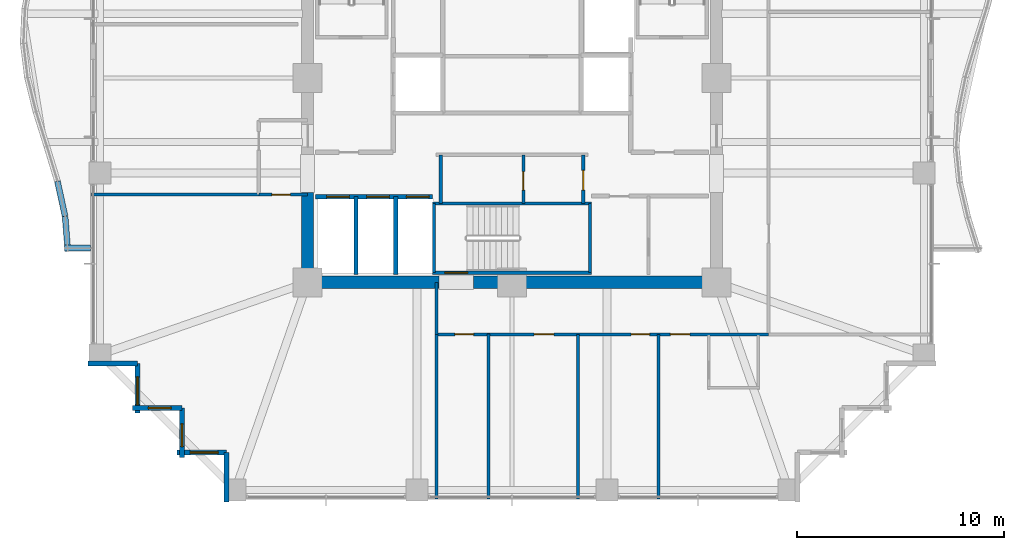
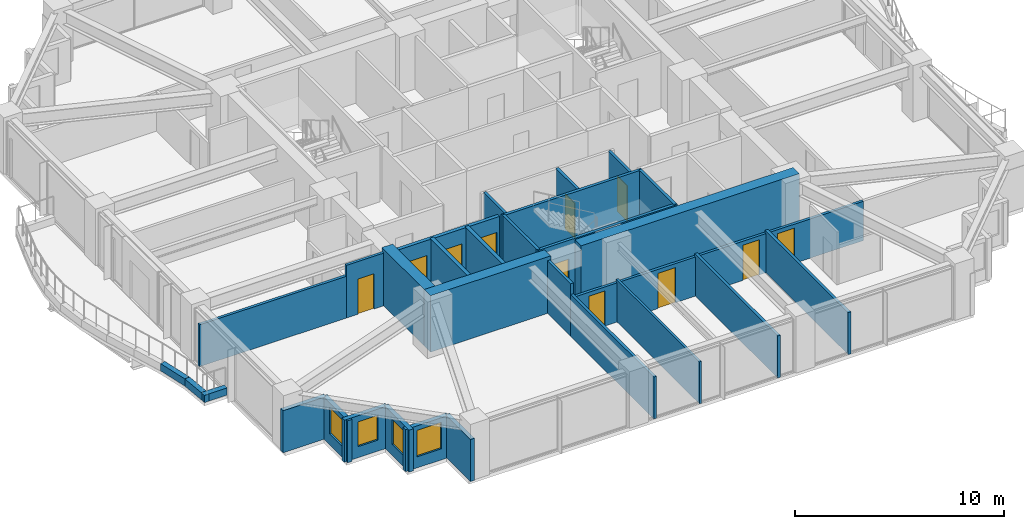
# One storey, part 30 of 36: 30 walls, 11 doors, 4 windows, 15 openings.
"""IFC4 building model written with IfcOpenShell, lengths in metres."""

from ifc_helpers import new_model, si_unit, direction, frame, frame_2d, origin, place, context, subcontext, project, spatial, rectangle, extrude, material, layer, layer_set, type_object, element, fill, save


model = new_model("IFC4")

# Units and contexts
model_context = context("Model", 3, precision=1e-05, world=origin(), true_north=direction((0.0, 1.0)))
body_context = subcontext(model_context, "Body", "Model", "MODEL_VIEW")
ifc_project = project(units=[si_unit("LENGTHUNIT", "METRE"), si_unit("AREAUNIT", "SQUARE_METRE"), si_unit("VOLUMEUNIT", "CUBIC_METRE"), si_unit("PLANEANGLEUNIT", "RADIAN"), si_unit("MASSUNIT", "GRAM", prefix="KILO")], contexts=[model_context])

# Site, building, storey
site_placement = place(None, origin())
site = spatial("IfcSite", under=ifc_project, at=site_placement, CompositionType="ELEMENT")
building_placement = place(site_placement, origin())
building = spatial("IfcBuilding", under=site, at=building_placement, Name="Kolvaren Belvedere", CompositionType="ELEMENT")
storey_placement = place(building_placement, frame((0.0, 0.0, 88.699951171875)))
storey = spatial("IfcBuildingStorey", under=building, at=storey_placement, Name="L25", CompositionType="ELEMENT", Elevation=88.699951171875)

# Walls
ifc_material_1 = material(Name="Concrete C60/75", Category="concrete")
ifc_layer_1 = layer(ifc_material_1, 0.60009765625)
ifc_layer_set_1 = layer_set([ifc_layer_1], Name="Concrete C60/75")
wall_type_1 = type_object("IfcWallType", Name="CW-CORE-600", PredefinedType="SHEAR", material=ifc_layer_set_1)
wall_1_placement = place(storey_placement, frame((10.199951171875, -9.89990234375, 0.0), z_axis=(0.0, 0.0, 1.0), x_axis=(-1.0, 0.0, 0.0)))
element("IfcWall", 1, at=wall_1_placement, inside=storey, type_object=wall_type_1, Name="L25 South Core Shear Wall 1", PredefinedType="SHEAR", context=body_context, shape_type="SweptSolid", body=[
    extrude(rectangle(XDim=12.06005859375, YDim=0.60009765625, at=frame_2d((6.030029296875, 0.0))), origin(), (0.0, 0.0, 1.0), 3.300048828125),
])
wall_2_placement = place(storey_placement, frame((-3.5400390625, -9.89990234375, 0.0), z_axis=(0.0, 0.0, 1.0), x_axis=(-1.0, 0.0, 0.0)))
element("IfcWall", 2, at=wall_2_placement, inside=storey, type_object=wall_type_1, Name="L25 South Core Shear Wall 2", PredefinedType="SHEAR", context=body_context, shape_type="SweptSolid", body=[
    extrude(rectangle(XDim=6.659912109375, YDim=0.60009765625, at=frame_2d((3.330078125, 0.0))), origin(), (0.0, 0.0, 1.0), 3.300048828125),
])
wall_3_placement = place(storey_placement, frame((-9.89990234375, -9.60009765625, 0.0), z_axis=(0.0, 0.0, 1.0), x_axis=(0.0, 1.0, 0.0)))
element("IfcWall", 3, at=wall_3_placement, inside=storey, type_object=wall_type_1, Name="L25 West Core Shear Wall 1", PredefinedType="SHEAR", context=body_context, shape_type="SweptSolid", body=[
    extrude(rectangle(XDim=4.050048828125, YDim=0.60009765625, at=frame_2d((2.02490234375, 0.0))), origin(), (0.0, 0.0, 1.0), 3.300048828125),
])

# Wall, opening, door
ifc_material_2 = material(Name="Concrete C50/60", Category="concrete")
ifc_layer_2 = layer(ifc_material_2, 0.159912109375)
ifc_layer_set_2 = layer_set([ifc_layer_2], Name="Concrete C50/60")
wall_type_2 = type_object("IfcWallType", Name="CW-STAIR-160", PredefinedType="SHEAR", material=ifc_layer_set_2)
wall_4_placement = place(storey_placement, frame((3.860107421875, -9.429931640625, 0.0), z_axis=(0.0, 0.0, 1.0), x_axis=(-1.0, 0.0, 0.0)))
wall_4 = element("IfcWall", 4, at=wall_4_placement, inside=storey, type_object=wall_type_2, Name="L25 Stair ST-3 South Shear Wall", PredefinedType="SHEAR", context=body_context, shape_type="SweptSolid", body=[
    extrude(rectangle(XDim=7.72021484375, YDim=0.159912109375, at=frame_2d((3.860107421875, 0.0))), origin(), (0.0, 0.0, 1.0), 3.300048828125),
])
opening_1_placement = place(wall_4_placement, frame((6.010009765625, 0.0, 0.0)))
opening_1 = element("IfcOpeningElement", 5, at=opening_1_placement, cuts=wall_4, Name="Opening D-FD90", PredefinedType="OPENING", context=body_context, shape_type="SweptSolid", body=[
    extrude(rectangle(XDim=1.10009765625, YDim=2.199951171875, at=frame_2d((0.550048828125, 1.10009765625))), frame((0.0, 0.08984375, 0.0), z_axis=(0.0, -1.0, 0.0), x_axis=(1.0, 0.0, 0.0)), (0.0, 0.0, 1.0), 0.179931640625),
])
ifc_material_3 = material(Name="Painted hollow stainless steel", Category="steel")
door_type_1 = type_object("IfcDoorType", Name="DR-FD90-1100", OperationType="NOTDEFINED", PredefinedType="DOOR", material=ifc_material_3)
door_1_placement = place(opening_1_placement, origin())
door_1 = element("IfcDoor", 6, at=door_1_placement, inside=storey, type_object=door_type_1, Name="L25 Stair ST-3 Exit Door", OperationType="SINGLE_SWING_RIGHT", OverallHeight=2.199951171875, OverallWidth=1.10009765625, PredefinedType="DOOR", context=body_context, shape_type="SweptSolid", body=[
    extrude(rectangle(XDim=1.10009765625, YDim=2.199951171875, at=frame_2d((0.550048828125, 1.10009765625))), frame((0.0, 0.02490234375, 0.0), z_axis=(0.0, -1.0, 0.0), x_axis=(1.0, 0.0, 0.0)), (0.0, 0.0, 1.0), 0.050048828125),
])
fill(opening_1, door_1)

# Walls
wall_5_placement = place(storey_placement, frame((-3.860107421875, -6.080078125, 0.0), z_axis=(0.0, 0.0, 1.0), x_axis=(1.0, 0.0, 0.0)))
element("IfcWall", 7, at=wall_5_placement, inside=storey, type_object=wall_type_2, Name="L25 Stair ST-3 North Shear Wall", PredefinedType="SHEAR", context=body_context, shape_type="SweptSolid", body=[
    extrude(rectangle(XDim=7.72021484375, YDim=0.159912109375, at=frame_2d((3.860107421875, 0.0))), origin(), (0.0, 0.0, 1.0), 3.300048828125),
])
for number, where, z_axis, x_axis, name in (
    (8, (-3.780029296875, -9.429931640625, 0.0), (0.0, 0.0, 1.0), (0.0, 1.0, 0.0), "L25 Stair ST-3 West Shear Wall"),
    (9, (3.780029296875, -9.429931640625, 0.0), (0.0, 0.0, 1.0), (0.0, 1.0, 0.0), "L25 Stair ST-3 East Shear Wall"),
):
    element("IfcWall", number, at=place(storey_placement, frame(where, z_axis=z_axis, x_axis=x_axis)), inside=storey, type_object=wall_type_2, Name=name, PredefinedType="SHEAR", context=body_context, shape_type="SweptSolid", body=[
        extrude(rectangle(XDim=3.349853515625, YDim=0.159912109375, at=frame_2d((1.6748046875, 0.0))), origin(), (0.0, 0.0, 1.0), 3.300048828125),
    ])

# Wall, openings, doors
ifc_material_4 = material(Name="Gypsum fire-rated partition assembly", Category="gypsum")
ifc_layer_3 = layer(ifc_material_4, 0.14990234375)
ifc_layer_set_3 = layer_set([ifc_layer_3], Name="Gypsum fire-rated partition assembly")
wall_type_3 = type_object("IfcWallType", Name="WL-CORR-150", PredefinedType="PARTITIONING", material=ifc_layer_set_3)
wall_6_placement = place(storey_placement, frame((-3.64990234375, -12.419921875, 0.0), z_axis=(0.0, 0.0, 1.0), x_axis=(1.0, 0.0, 0.0)))
wall_6 = element("IfcWall", 10, at=wall_6_placement, inside=storey, type_object=wall_type_3, Name="L25 South-East Corridor Wall", PredefinedType="PARTITIONING", context=body_context, shape_type="SweptSolid", body=[
    extrude(rectangle(XDim=16.06982421875, YDim=0.14990234375, at=frame_2d((8.034912109375, 0.0))), origin(), (0.0, 0.0, 1.0), 2.2919921875),
])
opening_2_placement = place(wall_6_placement, frame((0.88916015625, 0.0, 0.0)))
opening_2 = element("IfcOpeningElement", 11, at=opening_2_placement, cuts=wall_6, Name="Opening D-INT90", PredefinedType="OPENING", context=body_context, shape_type="SweptSolid", body=[
    extrude(rectangle(XDim=0.89990234375, YDim=2.06005859375, at=frame_2d((0.449951171875, 1.030029296875))), frame((0.0, 0.0849609375, 0.0), z_axis=(0.0, -1.0, 0.0), x_axis=(1.0, 0.0, 0.0)), (0.0, 0.0, 1.0), 0.169921875),
])
opening_3_placement = place(wall_6_placement, frame((4.7216796875, 0.0, 0.0)))
opening_3 = element("IfcOpeningElement", 12, at=opening_3_placement, cuts=wall_6, Name="Opening D-INT95", PredefinedType="OPENING", context=body_context, shape_type="SweptSolid", body=[
    extrude(rectangle(XDim=0.949951171875, YDim=2.06005859375, at=frame_2d((0.47509765625, 1.030029296875))), frame((0.0, 0.0849609375, 0.0), z_axis=(0.0, -1.0, 0.0), x_axis=(1.0, 0.0, 0.0)), (0.0, 0.0, 1.0), 0.169921875),
])
opening_4_placement = place(wall_6_placement, frame((9.415283203125, 0.0, 0.0)))
opening_4 = element("IfcOpeningElement", 13, at=opening_4_placement, cuts=wall_6, Name="Opening D-INT90", PredefinedType="OPENING", context=body_context, shape_type="SweptSolid", body=[
    extrude(rectangle(XDim=0.89990234375, YDim=2.06005859375, at=frame_2d((0.449951171875, 1.030029296875))), frame((0.0, 0.0849609375, 0.0), z_axis=(0.0, -1.0, 0.0), x_axis=(1.0, 0.0, 0.0)), (0.0, 0.0, 1.0), 0.169921875),
])
opening_5_placement = place(wall_6_placement, frame((11.31298828125, 0.0, 0.0)))
opening_5 = element("IfcOpeningElement", 14, at=opening_5_placement, cuts=wall_6, Name="Opening D-FD60", PredefinedType="OPENING", context=body_context, shape_type="SweptSolid", body=[
    extrude(rectangle(XDim=0.949951171875, YDim=2.06005859375, at=frame_2d((0.47509765625, 1.030029296875))), frame((0.0, 0.0849609375, 0.0), z_axis=(0.0, -1.0, 0.0), x_axis=(1.0, 0.0, 0.0)), (0.0, 0.0, 1.0), 0.169921875),
])
ifc_material_5 = material(Name="Acoustic white-oak fire door leaf", Category="timber")
door_type_2 = type_object("IfcDoorType", Name="DR-FD60-950", OperationType="NOTDEFINED", PredefinedType="DOOR", material=ifc_material_5)
door_2_placement = place(opening_5_placement, origin())
door_2 = element("IfcDoor", 15, at=door_2_placement, inside=storey, type_object=door_type_2, Name="L25 Panoramic Corner Hospitality Suite 2509 Entry Door", OperationType="SINGLE_SWING_LEFT", OverallHeight=2.06005859375, OverallWidth=0.949951171875, PredefinedType="DOOR", context=body_context, shape_type="SweptSolid", body=[
    extrude(rectangle(XDim=0.949951171875, YDim=2.06005859375, at=frame_2d((0.47509765625, 1.030029296875))), frame((0.0, 0.02490234375, 0.0), z_axis=(0.0, -1.0, 0.0), x_axis=(1.0, 0.0, 0.0)), (0.0, 0.0, 1.0), 0.050048828125),
])
fill(opening_5, door_2)
ifc_material_6 = material(Name="Stained Pacific white oak", Category="timber")
door_type_3 = type_object("IfcDoorType", Name="DR-INT-900", OperationType="NOTDEFINED", PredefinedType="DOOR", material=ifc_material_6)
door_3_placement = place(opening_2_placement, origin())
door_3 = element("IfcDoor", 16, at=door_3_placement, inside=storey, type_object=door_type_3, Name="L25 Housekeeping Door", OperationType="SINGLE_SWING_LEFT", OverallHeight=2.06005859375, OverallWidth=0.89990234375, PredefinedType="DOOR", context=body_context, shape_type="SweptSolid", body=[
    extrude(rectangle(XDim=0.89990234375, YDim=2.06005859375, at=frame_2d((0.449951171875, 1.030029296875))), frame((0.0, 0.02490234375, 0.0), z_axis=(0.0, -1.0, 0.0), x_axis=(1.0, 0.0, 0.0)), (0.0, 0.0, 1.0), 0.050048828125),
])
fill(opening_2, door_3)
door_4_placement = place(opening_4_placement, origin())
door_4 = element("IfcDoor", 17, at=door_4_placement, inside=storey, type_object=door_type_3, Name="L25 Lounge 2508 Door", OperationType="SINGLE_SWING_LEFT", OverallHeight=2.06005859375, OverallWidth=0.89990234375, PredefinedType="DOOR", context=body_context, shape_type="SweptSolid", body=[
    extrude(rectangle(XDim=0.89990234375, YDim=2.06005859375, at=frame_2d((0.449951171875, 1.030029296875))), frame((0.0, 0.02490234375, 0.0), z_axis=(0.0, -1.0, 0.0), x_axis=(1.0, 0.0, 0.0)), (0.0, 0.0, 1.0), 0.050048828125),
])
fill(opening_4, door_4)
ifc_material_7 = material(Name="Stained Pacific white oak", Category="timber")
door_type_4 = type_object("IfcDoorType", Name="DR-INT-950", OperationType="NOTDEFINED", PredefinedType="DOOR", material=ifc_material_7)
door_5_placement = place(opening_3_placement, origin())
door_5 = element("IfcDoor", 18, at=door_5_placement, inside=storey, type_object=door_type_4, Name="L25 Accessible Washroom Door", OperationType="SINGLE_SWING_RIGHT", OverallHeight=2.06005859375, OverallWidth=0.949951171875, PredefinedType="DOOR", context=body_context, shape_type="SweptSolid", body=[
    extrude(rectangle(XDim=0.949951171875, YDim=2.06005859375, at=frame_2d((0.47509765625, 1.030029296875))), frame((0.0, 0.02490234375, 0.0), z_axis=(0.0, -1.0, 0.0), x_axis=(1.0, 0.0, 0.0)), (0.0, 0.0, 1.0), 0.050048828125),
])
fill(opening_3, door_5)

# Wall
wall_7_placement = place(storey_placement, frame((-3.64990234375, -12.419921875, 0.0), z_axis=(0.0, 0.0, 1.0), x_axis=(0.0, 1.0, 0.0)))
element("IfcWall", 19, at=wall_7_placement, inside=storey, type_object=wall_type_3, Name="L25 South Spur West Closure Wall", PredefinedType="PARTITIONING", context=body_context, shape_type="SweptSolid", body=[
    extrude(rectangle(XDim=2.52001953125, YDim=0.14990234375, at=frame_2d((1.260009765625, 0.0))), origin(), (0.0, 0.0, 1.0), 3.080078125),
])

# Wall, opening, door
wall_8_placement = place(storey_placement, frame((-12.260009765625, -5.64990234375, 0.0), z_axis=(0.0, 0.0, 1.0), x_axis=(1.0, 0.0, 0.0)))
wall_8 = element("IfcWall", 20, at=wall_8_placement, inside=storey, type_object=wall_type_3, Name="L25 West Pocket South Closure Wall", PredefinedType="PARTITIONING", context=body_context, shape_type="SweptSolid", body=[
    extrude(rectangle(XDim=2.360107421875, YDim=0.14990234375, at=frame_2d((1.18017578125, 0.0))), origin(), (0.0, 0.0, 1.0), 3.080078125),
])
opening_6_placement = place(wall_8_placement, frame((0.631591796875, 0.0, 0.0)))
opening_6 = element("IfcOpeningElement", 21, at=opening_6_placement, cuts=wall_8, Name="Opening D-INT90", PredefinedType="OPENING", context=body_context, shape_type="SweptSolid", body=[
    extrude(rectangle(XDim=0.89990234375, YDim=2.06005859375, at=frame_2d((0.449951171875, 1.030029296875))), frame((0.0, 0.0849609375, 0.0), z_axis=(0.0, -1.0, 0.0), x_axis=(1.0, 0.0, 0.0)), (0.0, 0.0, 1.0), 0.169921875),
])
door_6_placement = place(opening_6_placement, origin())
door_6 = element("IfcDoor", 22, at=door_6_placement, inside=storey, type_object=door_type_3, Name="L25 Lounge 2507 Door", OperationType="SINGLE_SWING_RIGHT", OverallHeight=2.06005859375, OverallWidth=0.89990234375, PredefinedType="DOOR", context=body_context, shape_type="SweptSolid", body=[
    extrude(rectangle(XDim=0.89990234375, YDim=2.06005859375, at=frame_2d((0.449951171875, 1.030029296875))), frame((0.0, 0.02490234375, 0.0), z_axis=(0.0, -1.0, 0.0), x_axis=(1.0, 0.0, 0.0)), (0.0, 0.0, 1.0), 0.050048828125),
])
fill(opening_6, door_6)

# Wall
ifc_material_8 = material(Name="Insulated pale-metal facade wall assembly", Category="aluminium")
ifc_layer_4 = layer(ifc_material_8, 0.239990234375)
ifc_layer_set_4 = layer_set([ifc_layer_4], Name="Insulated pale-metal facade wall assembly")
wall_type_4 = type_object("IfcWallType", Name="WL-EXT-240", PredefinedType="STANDARD", material=ifc_layer_set_4)
wall_9_placement = place(storey_placement, frame((-18.1298828125, -13.830078125, 0.0), z_axis=(0.0, 0.0, 1.0), x_axis=(-1.0, 0.0, 0.0)))
element("IfcWall", 23, at=wall_9_placement, inside=storey, type_object=wall_type_4, Name="L25 Serrated Corner Facade Wall 23", PredefinedType="STANDARD", context=body_context, shape_type="SweptSolid", body=[
    extrude(rectangle(XDim=2.39013671875, YDim=0.239990234375, at=frame_2d((1.195068359375, 0.0))), origin(), (0.0, 0.0, 1.0), 2.458984375),
])

# Wall, opening, window
wall_10_placement = place(storey_placement, frame((-18.1298828125, -16.219970703125, 0.0), z_axis=(0.0, 0.0, 1.0), x_axis=(0.0, 1.0, 0.0)))
wall_10 = element("IfcWall", 24, at=wall_10_placement, inside=storey, type_object=wall_type_4, Name="L25 Serrated Corner Facade Wall 24", PredefinedType="STANDARD", context=body_context, shape_type="SweptSolid", body=[
    extrude(rectangle(XDim=2.389892578125, YDim=0.239990234375, at=frame_2d((1.19482421875, 0.0))), origin(), (0.0, 0.0, 1.0), 2.458984375),
])
opening_7_placement = place(wall_10_placement, frame((0.39990234375, 0.0, 0.64990234375)))
opening_7 = element("IfcOpeningElement", 25, at=opening_7_placement, cuts=wall_10, Name="Opening W-1350", PredefinedType="OPENING", context=body_context, shape_type="SweptSolid", body=[
    extrude(rectangle(XDim=1.35009765625, YDim=1.550048828125, at=frame_2d((0.675048828125, 0.77490234375))), frame((0.0, 0.1298828125, 0.0), z_axis=(0.0, -1.0, 0.0), x_axis=(1.0, 0.0, 0.0)), (0.0, 0.0, 1.0), 0.260009765625),
])
ifc_material_9 = material(Name="Low-iron triple insulated glass", Category="glass")
window_type_1 = type_object("IfcWindowType", Name="WN-CORN-1350", PartitioningType="SINGLE_PANEL", PredefinedType="WINDOW", material=ifc_material_9)
window_1_placement = place(opening_7_placement, origin())
window_1 = element("IfcWindow", 26, at=window_1_placement, inside=storey, type_object=window_type_1, Name="L25 Serrated Corner Vision Window 24", OverallHeight=1.550048828125, OverallWidth=1.35009765625, PartitioningType="SINGLE_PANEL", PredefinedType="WINDOW", context=body_context, shape_type="SweptSolid", body=[
    extrude(rectangle(XDim=1.35009765625, YDim=1.550048828125, at=frame_2d((0.675048828125, 0.77490234375))), frame((0.0, 0.030029296875, 0.0), z_axis=(0.0, -1.0, 0.0), x_axis=(1.0, 0.0, 0.0)), (0.0, 0.0, 1.0), 0.06005859375),
])
fill(opening_7, window_1)

wall_11_placement = place(storey_placement, frame((-15.97998046875, -15.97998046875, 0.0), z_axis=(0.0, 0.0, 1.0), x_axis=(-1.0, 0.0, 0.0)))
wall_11 = element("IfcWall", 27, at=wall_11_placement, inside=storey, type_object=wall_type_4, Name="L25 Serrated Corner Facade Wall 25", PredefinedType="STANDARD", context=body_context, shape_type="SweptSolid", body=[
    extrude(rectangle(XDim=2.39013671875, YDim=0.239990234375, at=frame_2d((1.195068359375, 0.0))), origin(), (0.0, 0.0, 1.0), 2.458984375),
])
opening_8_placement = place(wall_11_placement, frame((0.52490234375, 0.0, 0.64990234375)))
opening_8 = element("IfcOpeningElement", 28, at=opening_8_placement, cuts=wall_11, Name="Opening W-1100", PredefinedType="OPENING", context=body_context, shape_type="SweptSolid", body=[
    extrude(rectangle(XDim=1.10009765625, YDim=1.449951171875, at=frame_2d((0.550048828125, 0.72509765625))), frame((0.0, 0.1298828125, 0.0), z_axis=(0.0, -1.0, 0.0), x_axis=(1.0, 0.0, 0.0)), (0.0, 0.0, 1.0), 0.260009765625),
])
ifc_material_10 = material(Name="Low-iron triple insulated glass", Category="glass")
window_type_2 = type_object("IfcWindowType", Name="WN-CORN-1100", PartitioningType="SINGLE_PANEL", PredefinedType="WINDOW", material=ifc_material_10)
window_2_placement = place(opening_8_placement, origin())
window_2 = element("IfcWindow", 29, at=window_2_placement, inside=storey, type_object=window_type_2, Name="L25 Serrated Corner Vision Window 25", OverallHeight=1.449951171875, OverallWidth=1.10009765625, PartitioningType="SINGLE_PANEL", PredefinedType="WINDOW", context=body_context, shape_type="SweptSolid", body=[
    extrude(rectangle(XDim=1.10009765625, YDim=1.449951171875, at=frame_2d((0.550048828125, 0.72509765625))), frame((0.0, 0.030029296875, 0.0), z_axis=(0.0, -1.0, 0.0), x_axis=(1.0, 0.0, 0.0)), (0.0, 0.0, 1.0), 0.06005859375),
])
fill(opening_8, window_2)

wall_12_placement = place(storey_placement, frame((-15.97998046875, -18.3701171875, 0.0), z_axis=(0.0, 0.0, 1.0), x_axis=(0.0, 1.0, 0.0)))
wall_12 = element("IfcWall", 30, at=wall_12_placement, inside=storey, type_object=wall_type_4, Name="L25 Serrated Corner Facade Wall 26", PredefinedType="STANDARD", context=body_context, shape_type="SweptSolid", body=[
    extrude(rectangle(XDim=2.39013671875, YDim=0.239990234375, at=frame_2d((1.195068359375, 0.0))), origin(), (0.0, 0.0, 1.0), 2.458984375),
])
opening_9_placement = place(wall_12_placement, frame((0.52490234375, 0.0, 0.64990234375)))
opening_9 = element("IfcOpeningElement", 31, at=opening_9_placement, cuts=wall_12, Name="Opening W-1100", PredefinedType="OPENING", context=body_context, shape_type="SweptSolid", body=[
    extrude(rectangle(XDim=1.10009765625, YDim=1.449951171875, at=frame_2d((0.550048828125, 0.72509765625))), frame((0.0, 0.1298828125, 0.0), z_axis=(0.0, -1.0, 0.0), x_axis=(1.0, 0.0, 0.0)), (0.0, 0.0, 1.0), 0.260009765625),
])
window_3_placement = place(opening_9_placement, origin())
window_3 = element("IfcWindow", 32, at=window_3_placement, inside=storey, type_object=window_type_2, Name="L25 Serrated Corner Vision Window 26", OverallHeight=1.449951171875, OverallWidth=1.10009765625, PartitioningType="SINGLE_PANEL", PredefinedType="WINDOW", context=body_context, shape_type="SweptSolid", body=[
    extrude(rectangle(XDim=1.10009765625, YDim=1.449951171875, at=frame_2d((0.550048828125, 0.72509765625))), frame((0.0, 0.030029296875, 0.0), z_axis=(0.0, -1.0, 0.0), x_axis=(1.0, 0.0, 0.0)), (0.0, 0.0, 1.0), 0.06005859375),
])
fill(opening_9, window_3)

wall_13_placement = place(storey_placement, frame((-13.830078125, -18.1298828125, 0.0), z_axis=(0.0, 0.0, 1.0), x_axis=(-1.0, 0.0, 0.0)))
wall_13 = element("IfcWall", 33, at=wall_13_placement, inside=storey, type_object=wall_type_4, Name="L25 Serrated Corner Facade Wall 27", PredefinedType="STANDARD", context=body_context, shape_type="SweptSolid", body=[
    extrude(rectangle(XDim=2.389892578125, YDim=0.239990234375, at=frame_2d((1.19482421875, 0.0))), origin(), (0.0, 0.0, 1.0), 2.458984375),
])
opening_10_placement = place(wall_13_placement, frame((0.39990234375, 0.0, 0.64990234375)))
opening_10 = element("IfcOpeningElement", 34, at=opening_10_placement, cuts=wall_13, Name="Opening W-1350", PredefinedType="OPENING", context=body_context, shape_type="SweptSolid", body=[
    extrude(rectangle(XDim=1.35009765625, YDim=1.550048828125, at=frame_2d((0.675048828125, 0.77490234375))), frame((0.0, 0.1298828125, 0.0), z_axis=(0.0, -1.0, 0.0), x_axis=(1.0, 0.0, 0.0)), (0.0, 0.0, 1.0), 0.260009765625),
])
window_4_placement = place(opening_10_placement, origin())
window_4 = element("IfcWindow", 35, at=window_4_placement, inside=storey, type_object=window_type_1, Name="L25 Serrated Corner Vision Window 27", OverallHeight=1.550048828125, OverallWidth=1.35009765625, PartitioningType="SINGLE_PANEL", PredefinedType="WINDOW", context=body_context, shape_type="SweptSolid", body=[
    extrude(rectangle(XDim=1.35009765625, YDim=1.550048828125, at=frame_2d((0.675048828125, 0.77490234375))), frame((0.0, 0.030029296875, 0.0), z_axis=(0.0, -1.0, 0.0), x_axis=(1.0, 0.0, 0.0)), (0.0, 0.0, 1.0), 0.06005859375),
])
fill(opening_10, window_4)

# Wall
wall_14_placement = place(storey_placement, frame((-13.830078125, -20.52001953125, 0.0), z_axis=(0.0, 0.0, 1.0), x_axis=(0.0, 1.0, 0.0)))
element("IfcWall", 36, at=wall_14_placement, inside=storey, type_object=wall_type_4, Name="L25 Serrated Corner Facade Wall 28", PredefinedType="STANDARD", context=body_context, shape_type="SweptSolid", body=[
    extrude(rectangle(XDim=2.39013671875, YDim=0.239990234375, at=frame_2d((1.195068359375, 0.0))), origin(), (0.0, 0.0, 1.0), 2.458984375),
])

# Wall, opening, door
ifc_material_11 = material(Name="Gypsum acoustic partition assembly", Category="gypsum")
ifc_layer_5 = layer(ifc_material_11, 0.14990234375)
ifc_layer_set_5 = layer_set([ifc_layer_5], Name="Gypsum acoustic partition assembly")
wall_type_5 = type_object("IfcWallType", Name="WL-PART-150", PredefinedType="PARTITIONING", material=ifc_layer_set_5)
wall_15_placement = place(storey_placement, frame((3.449951171875, -6.080078125, 0.0), z_axis=(0.0, 0.0, 1.0), x_axis=(0.0, 1.0, 0.0)))
wall_15 = element("IfcWall", 37, at=wall_15_placement, inside=storey, type_object=wall_type_5, Name="L25 South Core Service East Wall", PredefinedType="PARTITIONING", context=body_context, shape_type="SweptSolid", body=[
    extrude(rectangle(XDim=2.360107421875, YDim=0.14990234375, at=frame_2d((1.18017578125, 0.0))), origin(), (0.0, 0.0, 1.0), 3.080078125),
])
opening_11_placement = place(wall_15_placement, frame((0.64990234375, 0.0, 0.0)))
opening_11 = element("IfcOpeningElement", 38, at=opening_11_placement, cuts=wall_15, Name="Opening D-FD60", PredefinedType="OPENING", context=body_context, shape_type="SweptSolid", body=[
    extrude(rectangle(XDim=0.949951171875, YDim=2.06005859375, at=frame_2d((0.47509765625, 1.030029296875))), frame((0.0, 0.0849609375, 0.0), z_axis=(0.0, -1.0, 0.0), x_axis=(1.0, 0.0, 0.0)), (0.0, 0.0, 1.0), 0.169921875),
])
door_7_placement = place(opening_11_placement, origin())
door_7 = element("IfcDoor", 39, at=door_7_placement, inside=storey, type_object=door_type_2, Name="L25 Core Service Room Door", OperationType="SINGLE_SWING_LEFT", OverallHeight=2.06005859375, OverallWidth=0.949951171875, PredefinedType="DOOR", context=body_context, shape_type="SweptSolid", body=[
    extrude(rectangle(XDim=0.949951171875, YDim=2.06005859375, at=frame_2d((0.47509765625, 1.030029296875))), frame((0.0, 0.02490234375, 0.0), z_axis=(0.0, -1.0, 0.0), x_axis=(1.0, 0.0, 0.0)), (0.0, 0.0, 1.0), 0.050048828125),
])
fill(opening_11, door_7)

# Wall
wall_16_placement = place(storey_placement, frame((-3.449951171875, -6.080078125, 0.0), z_axis=(0.0, 0.0, 1.0), x_axis=(0.0, 1.0, 0.0)))
element("IfcWall", 40, at=wall_16_placement, inside=storey, type_object=wall_type_5, Name="L25 South Core Service West Wall", PredefinedType="PARTITIONING", context=body_context, shape_type="SweptSolid", body=[
    extrude(rectangle(XDim=2.360107421875, YDim=0.14990234375, at=frame_2d((1.18017578125, 0.0))), origin(), (0.0, 0.0, 1.0), 3.080078125),
])

# Wall, opening, door
wall_17_placement = place(storey_placement, frame((0.550048828125, -6.080078125, 0.0), z_axis=(0.0, 0.0, 1.0), x_axis=(0.0, 1.0, 0.0)))
wall_17 = element("IfcWall", 41, at=wall_17_placement, inside=storey, type_object=wall_type_5, Name="L25 Core Service Divider", PredefinedType="PARTITIONING", context=body_context, shape_type="SweptSolid", body=[
    extrude(rectangle(XDim=2.360107421875, YDim=0.14990234375, at=frame_2d((1.18017578125, 0.0))), origin(), (0.0, 0.0, 1.0), 3.080078125),
])
opening_12_placement = place(wall_17_placement, frame((0.64990234375, 0.0, 0.0)))
opening_12 = element("IfcOpeningElement", 42, at=opening_12_placement, cuts=wall_17, Name="Opening D-INT90", PredefinedType="OPENING", context=body_context, shape_type="SweptSolid", body=[
    extrude(rectangle(XDim=0.89990234375, YDim=2.06005859375, at=frame_2d((0.449951171875, 1.030029296875))), frame((0.0, 0.0849609375, 0.0), z_axis=(0.0, -1.0, 0.0), x_axis=(1.0, 0.0, 0.0)), (0.0, 0.0, 1.0), 0.169921875),
])
door_8_placement = place(opening_12_placement, origin())
door_8 = element("IfcDoor", 43, at=door_8_placement, inside=storey, type_object=door_type_3, Name="L25 BMS Inner Door", OperationType="SINGLE_SWING_LEFT", OverallHeight=2.06005859375, OverallWidth=0.89990234375, PredefinedType="DOOR", context=body_context, shape_type="SweptSolid", body=[
    extrude(rectangle(XDim=0.89990234375, YDim=2.06005859375, at=frame_2d((0.449951171875, 1.030029296875))), frame((0.0, 0.02490234375, 0.0), z_axis=(0.0, -1.0, 0.0), x_axis=(1.0, 0.0, 0.0)), (0.0, 0.0, 1.0), 0.050048828125),
])
fill(opening_12, door_8)

# Walls
wall_18_placement = place(storey_placement, frame((-20.3798828125, -5.64990234375, 0.0), z_axis=(0.0, 0.0, 1.0), x_axis=(1.0, 0.0, 0.0)))
element("IfcWall", 44, at=wall_18_placement, inside=storey, type_object=wall_type_5, Name="L25 West Mid Suite South Wall", PredefinedType="PARTITIONING", context=body_context, shape_type="SweptSolid", body=[
    extrude(rectangle(XDim=8.119873046875, YDim=0.14990234375, at=frame_2d((4.06005859375, 0.0))), origin(), (0.0, 0.0, 1.0), 2.448974609375),
])
for number, where, z_axis, x_axis, name in (
    (45, (-3.64990234375, -20.3798828125, 0.0), (0.0, 0.0, 1.0), (0.0, 1.0, 0.0), "L25 South Mid-West Wall"),
    (46, (3.199951171875, -20.3798828125, 0.0), (0.0, 0.0, 1.0), (0.0, 1.0, 0.0), "L25 South-East Suite Divider 1"),
    (47, (7.10009765625, -20.3798828125, 0.0), (0.0, 0.0, 1.0), (0.0, 1.0, 0.0), "L25 South-East Suite Divider 2"),
):
    element("IfcWall", number, at=place(storey_placement, frame(where, z_axis=z_axis, x_axis=x_axis)), inside=storey, type_object=wall_type_5, Name=name, PredefinedType="PARTITIONING", context=body_context, shape_type="SweptSolid", body=[
        extrude(rectangle(XDim=7.9599609375, YDim=0.14990234375, at=frame_2d((3.97998046875, 0.0))), origin(), (0.0, 0.0, 1.0), 2.448974609375),
    ])
ifc_material_12 = material(Name="Precast concrete C40/50", Category="concrete")
ifc_layer_6 = layer(ifc_material_12, 0.300048828125)
ifc_layer_set_6 = layer_set([ifc_layer_6], Name="Precast concrete C40/50")
wall_type_6 = type_object("IfcWallType", Name="WL-PLANTER-300", PredefinedType="PARAPET", material=ifc_layer_set_6)
wall_19_placement = place(storey_placement, frame((-22.0048828125, -5.005859375, -0.0400390625), z_axis=(0.0, 0.0, 1.0), x_axis=(0.213802724545, -0.976876857632, 0.0)))
element("IfcWall", 48, at=wall_19_placement, inside=storey, type_object=wall_type_6, Name="L25 Precast Structural Planter Wall BAL-W-9", PredefinedType="PARAPET", context=body_context, shape_type="SweptSolid", body=[
    extrude(rectangle(XDim=1.7197265625, YDim=0.280029296875, at=frame_2d((0.85986328125, 0.0))), origin(), (0.0, 0.0, 1.0), 0.420166015625),
])
wall_20_placement = place(storey_placement, frame((-21.634033203125, -6.707275390625, -0.0400390625), z_axis=(0.0, 0.0, 1.0), x_axis=(0.079244268248, -0.99685522818, 0.0)))
element("IfcWall", 49, at=wall_20_placement, inside=storey, type_object=wall_type_6, Name="L25 Precast Structural Planter Wall BAL-W-10", PredefinedType="PARAPET", context=body_context, shape_type="SweptSolid", body=[
    extrude(rectangle(XDim=1.685302734375, YDim=0.280029296875, at=frame_2d((0.8427734375, 0.0))), origin(), (0.0, 0.0, 1.0), 0.420166015625),
])
wall_21_placement = place(storey_placement, frame((-21.659912109375, -8.239990234375, -0.0400390625), z_axis=(0.0, 0.0, 1.0), x_axis=(1.0, 0.0, 0.0)))
element("IfcWall", 50, at=wall_21_placement, inside=storey, type_object=wall_type_6, Name="L25 Precast Structural Planter Wall BAL-W-11", PredefinedType="PARAPET", context=body_context, shape_type="SweptSolid", body=[
    extrude(rectangle(XDim=1.260009765625, YDim=0.280029296875, at=frame_2d((0.6298828125, 0.0))), origin(), (0.0, 0.0, 1.0), 0.420166015625),
])

# Wall, openings, doors
ifc_material_13 = material(Name="Concrete C50/60", Category="concrete")
ifc_layer_7 = layer(ifc_material_13, 0.199951171875)
ifc_layer_set_7 = layer_set([ifc_layer_7], Name="Concrete C50/60")
wall_type_7 = type_object("IfcWallType", Name="WL-SHAFT-200", PredefinedType="SOLIDWALL", material=ifc_layer_set_7)
wall_22_placement = place(storey_placement, frame((-9.52001953125, -5.75, 0.0), z_axis=(0.0, 0.0, 1.0), x_axis=(1.0, 0.0, 0.0)))
wall_22 = element("IfcWall", 51, at=wall_22_placement, inside=storey, type_object=wall_type_7, Name="L25 Mid-Rise Lift Bank Front Wall", PredefinedType="SOLIDWALL", context=body_context, shape_type="SweptSolid", body=[
    extrude(rectangle(XDim=5.659912109375, YDim=0.199951171875, at=frame_2d((2.830078125, 0.0))), origin(), (0.0, 0.0, 1.0), 3.080078125),
])
opening_13_placement = place(wall_22_placement, frame((0.550048828125, 0.0, 0.0)))
opening_13 = element("IfcOpeningElement", 52, at=opening_13_placement, cuts=wall_22, Name="Opening LD-11", PredefinedType="OPENING", context=body_context, shape_type="SweptSolid", body=[
    extrude(rectangle(XDim=1.10009765625, YDim=2.199951171875, at=frame_2d((0.550048828125, 1.10009765625))), frame((0.0, 0.10986328125, 0.0), z_axis=(0.0, -1.0, 0.0), x_axis=(1.0, 0.0, 0.0)), (0.0, 0.0, 1.0), 0.219970703125),
])
opening_14_placement = place(wall_22_placement, frame((2.47998046875, 0.0, 0.0)))
opening_14 = element("IfcOpeningElement", 53, at=opening_14_placement, cuts=wall_22, Name="Opening LD-11", PredefinedType="OPENING", context=body_context, shape_type="SweptSolid", body=[
    extrude(rectangle(XDim=1.10009765625, YDim=2.199951171875, at=frame_2d((0.550048828125, 1.10009765625))), frame((0.0, 0.10986328125, 0.0), z_axis=(0.0, -1.0, 0.0), x_axis=(1.0, 0.0, 0.0)), (0.0, 0.0, 1.0), 0.219970703125),
])
opening_15_placement = place(wall_22_placement, frame((4.409912109375, 0.0, 0.0)))
opening_15 = element("IfcOpeningElement", 54, at=opening_15_placement, cuts=wall_22, Name="Opening LD-11", PredefinedType="OPENING", context=body_context, shape_type="SweptSolid", body=[
    extrude(rectangle(XDim=1.10009765625, YDim=2.199951171875, at=frame_2d((0.550048828125, 1.10009765625))), frame((0.0, 0.10986328125, 0.0), z_axis=(0.0, -1.0, 0.0), x_axis=(1.0, 0.0, 0.0)), (0.0, 0.0, 1.0), 0.219970703125),
])
ifc_material_14 = material(Name="Brushed stainless steel", Category="steel")
door_type_5 = type_object("IfcDoorType", Name="DR-LIFT-1100", OperationType="DOUBLE_DOOR_SLIDING", PredefinedType="DOOR", material=ifc_material_14)
door_9_placement = place(opening_13_placement, origin())
door_9 = element("IfcDoor", 55, at=door_9_placement, inside=storey, type_object=door_type_5, Name="L25 Passenger Lift P4 Landing Door", OperationType="DOUBLE_DOOR_SLIDING", OverallHeight=2.199951171875, OverallWidth=1.10009765625, PredefinedType="DOOR", context=body_context, shape_type="SweptSolid", body=[
    extrude(rectangle(XDim=1.10009765625, YDim=2.199951171875, at=frame_2d((0.550048828125, 1.10009765625))), frame((0.0, 0.02490234375, 0.0), z_axis=(0.0, -1.0, 0.0), x_axis=(1.0, 0.0, 0.0)), (0.0, 0.0, 1.0), 0.050048828125),
])
fill(opening_13, door_9)
door_10_placement = place(opening_14_placement, origin())
door_10 = element("IfcDoor", 56, at=door_10_placement, inside=storey, type_object=door_type_5, Name="L25 Passenger Lift P5 Landing Door", OperationType="DOUBLE_DOOR_SLIDING", OverallHeight=2.199951171875, OverallWidth=1.10009765625, PredefinedType="DOOR", context=body_context, shape_type="SweptSolid", body=[
    extrude(rectangle(XDim=1.10009765625, YDim=2.199951171875, at=frame_2d((0.550048828125, 1.10009765625))), frame((0.0, 0.02490234375, 0.0), z_axis=(0.0, -1.0, 0.0), x_axis=(1.0, 0.0, 0.0)), (0.0, 0.0, 1.0), 0.050048828125),
])
fill(opening_14, door_10)
door_11_placement = place(opening_15_placement, origin())
door_11 = element("IfcDoor", 57, at=door_11_placement, inside=storey, type_object=door_type_5, Name="L25 Passenger Lift P6 Landing Door", OperationType="DOUBLE_DOOR_SLIDING", OverallHeight=2.199951171875, OverallWidth=1.10009765625, PredefinedType="DOOR", context=body_context, shape_type="SweptSolid", body=[
    extrude(rectangle(XDim=1.10009765625, YDim=2.199951171875, at=frame_2d((0.550048828125, 1.10009765625))), frame((0.0, 0.02490234375, 0.0), z_axis=(0.0, -1.0, 0.0), x_axis=(1.0, 0.0, 0.0)), (0.0, 0.0, 1.0), 0.050048828125),
])
fill(opening_15, door_11)

# Walls
for number, where, z_axis, x_axis, name in (
    (58, (-7.56005859375, -9.52001953125, 0.0), (0.0, 0.0, 1.0), (0.0, 1.0, 0.0), "L25 Mid-Rise Hoistway Divider 1"),
    (59, (-5.6298828125, -9.52001953125, 0.0), (0.0, 0.0, 1.0), (0.0, 1.0, 0.0), "L25 Mid-Rise Hoistway Divider 2"),
):
    element("IfcWall", number, at=place(storey_placement, frame(where, z_axis=z_axis, x_axis=x_axis)), inside=storey, type_object=wall_type_7, Name=name, PredefinedType="SOLIDWALL", context=body_context, shape_type="SweptSolid", body=[
        extrude(rectangle(XDim=3.77001953125, YDim=0.199951171875, at=frame_2d((1.885009765625, 0.0))), origin(), (0.0, 0.0, 1.0), 3.080078125),
    ])
ifc_material_15 = material(Name="Moisture-resistant gypsum partition", Category="gypsum")
ifc_layer_8 = layer(ifc_material_15, 0.125)
ifc_layer_set_8 = layer_set([ifc_layer_8], Name="Moisture-resistant gypsum partition")
wall_type_8 = type_object("IfcWallType", Name="WL-WET-125", PredefinedType="PARTITIONING", material=ifc_layer_set_8)
wall_23_placement = place(storey_placement, frame((-1.138916015625, -20.3798828125, 0.0), z_axis=(0.0, 0.0, 1.0), x_axis=(0.0, 1.0, 0.0)))
element("IfcWall", 60, at=wall_23_placement, inside=storey, type_object=wall_type_8, Name="L25 Housekeeping Washroom Divider", PredefinedType="PARTITIONING", context=body_context, shape_type="SweptSolid", body=[
    extrude(rectangle(XDim=7.98486328125, YDim=0.125, at=frame_2d((3.992431640625, 0.0))), origin(), (0.0, 0.0, 1.0), 2.448974609375),
])

save(model, "model.ifc")
